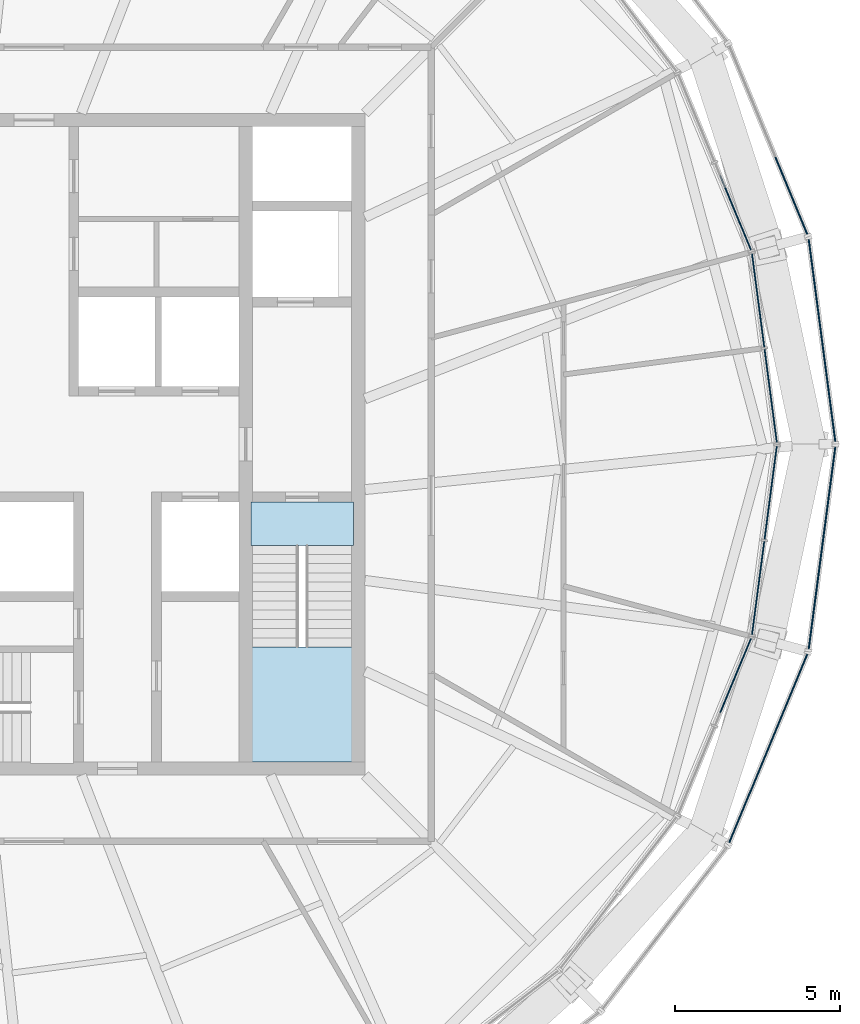
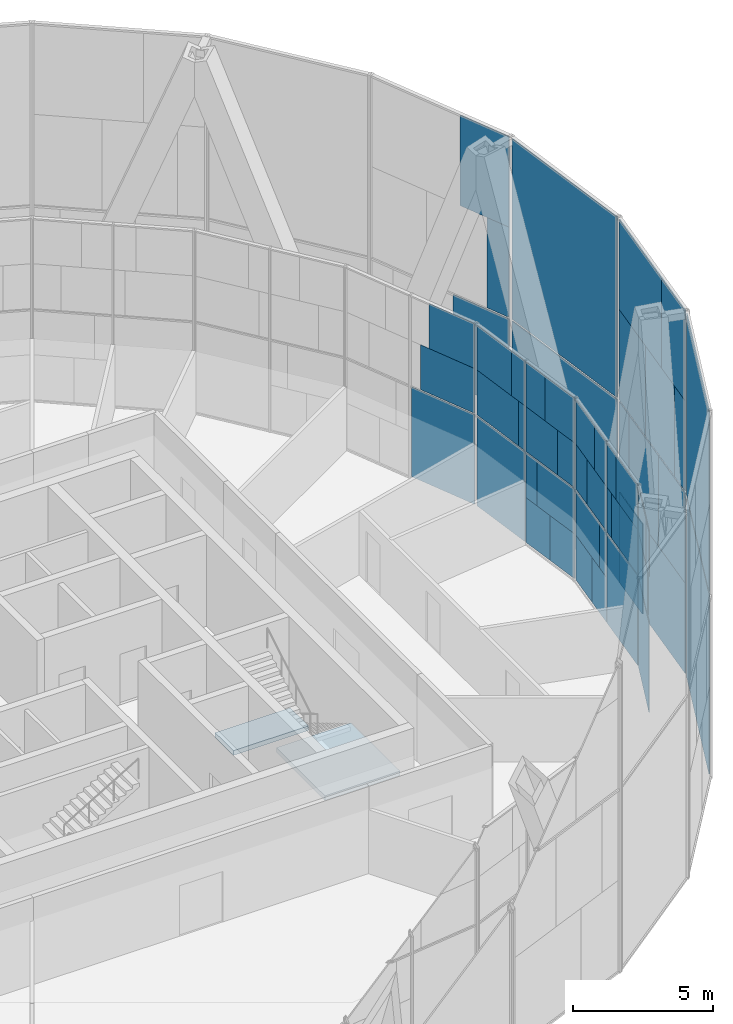
# One storey, part 14 of 22: 50 plates, 2 slabs, 9 elements without a shape of their own.
"""IFC4 building model written with IfcOpenShell, lengths in metres."""

from ifc_helpers import new_model, si_unit, direction, frame, origin, origin_2d, place, context, subcontext, project, spatial, polyline, rectangle, outline, extrude, material, layer, layer_set, type_object, element, aggregate, save


model = new_model("IFC4")

# Units and contexts
model_context = context("Model", 3, precision=1e-05, world=origin(), true_north=direction((0.0, 1.0)))
body_context = subcontext(model_context, "Body", "Model", "MODEL_VIEW")
ifc_project = project(units=[si_unit("LENGTHUNIT", "METRE"), si_unit("AREAUNIT", "SQUARE_METRE"), si_unit("VOLUMEUNIT", "CUBIC_METRE"), si_unit("PLANEANGLEUNIT", "RADIAN"), si_unit("MASSUNIT", "GRAM", prefix="KILO")], contexts=[model_context])

# Site, building, storey
site_placement = place(None, origin())
site = spatial("IfcSite", under=ifc_project, at=site_placement, CompositionType="ELEMENT")
building_placement = place(site_placement, origin())
building = spatial("IfcBuilding", under=site, at=building_placement, Name="Golbaran Civic Tower", CompositionType="ELEMENT")
storey_placement = place(building_placement, frame((0.0, 0.0, 248.0)))
storey = spatial("IfcBuildingStorey", under=building, at=storey_placement, Name="L60", CompositionType="ELEMENT", Elevation=248.0)

# Curtain wall, plates
ifc_material_1 = material(Name="Aluminium and glass", Category="aluminium")
curtain_wall_type_1 = type_object("IfcCurtainWallType", Name="INNER SKIN CURTAIN WALL EXECUTIVE", PredefinedType="NOTDEFINED", material=ifc_material_1)
curtain_wall_1_placement = place(storey_placement, origin())
curtain_wall_1 = element("IfcCurtainWall", 1, at=curtain_wall_1_placement, inside=storey, type_object=curtain_wall_type_1, Name="Inner skin L60 facet 1 CW2", ObjectType="INNER SKIN", PredefinedType="USERDEFINED")
ifc_material_2 = material(Name="Clear insulating glass", Category="glass")
ifc_layer_1 = layer(ifc_material_2, 0.031982421875, Name="Clear insulating glass")
ifc_layer_set_1 = layer_set([ifc_layer_1], Name="Clear insulating glass")
plate_type_1 = type_object("IfcPlateType", Name="INNER SKIN CURTAIN WALL EXECUTIVE GLAZED PANEL", PredefinedType="CURTAIN_PANEL", material=ifc_layer_set_1)
plate_1_placement = place(storey_placement, frame((22.16357421875, 2.18994140625, 0.06005859375), z_axis=(0.0, 0.0, 1.0), x_axis=(-0.130526192185, 0.991444861378, 0.0)))
plate_1 = element("IfcPlate", 2, at=plate_1_placement, type_object=plate_type_1, Name="CW2 panel 1.1 part 2", PredefinedType="CURTAIN_PANEL", context=body_context, shape_type="SweptSolid", body=[
    extrude(rectangle(XDim=1.383544921875, YDim=0.031982421875, at=origin_2d()), origin(), (0.0, 0.0, 1.0), 1.955078125),
])
plate_2_placement = place(storey_placement, frame((22.115478515625, 2.55615234375, 2.014892578125), z_axis=(0.0, 0.0, 1.0), x_axis=(-0.130526192185, 0.991444861378, 0.0)))
plate_2 = element("IfcPlate", 3, at=plate_2_placement, type_object=plate_type_1, Name="CW2 panel 1.1 part 4", PredefinedType="CURTAIN_PANEL", context=body_context, shape_type="SweptSolid", body=[
    extrude(rectangle(XDim=0.64453125, YDim=0.031982421875, at=origin_2d()), origin(), (0.0, 0.0, 1.0), 1.955078125),
])
plate_3_placement = place(storey_placement, frame((22.37939453125, 0.5517578125, 4.030029296875), z_axis=(0.0, 0.0, 1.0), x_axis=(-0.130526192185, 0.991444861378, 0.0)))
plate_3 = element("IfcPlate", 4, at=plate_3_placement, type_object=plate_type_1, Name="CW2 panel 1.2 part 1", PredefinedType="CURTAIN_PANEL", context=body_context, shape_type="SweptSolid", body=[
    extrude(rectangle(XDim=0.992919921875, YDim=0.031982421875, at=origin_2d()), origin(), (0.0, 0.0, 1.0), 1.955078125),
])
plate_4_placement = place(storey_placement, frame((22.3310546875, 0.91796875, 5.98486328125), z_axis=(0.0, 0.0, 1.0), x_axis=(-0.130526192185, 0.991444861378, 0.0)))
plate_4 = element("IfcPlate", 5, at=plate_4_placement, type_object=plate_type_1, Name="CW2 panel 1.2 part 3", PredefinedType="CURTAIN_PANEL", context=body_context, shape_type="SweptSolid", body=[
    extrude(rectangle(XDim=1.73193359375, YDim=0.031982421875, at=origin_2d()), origin(), (0.0, 0.0, 1.0), 1.955078125),
])
plate_5_placement = place(storey_placement, frame((21.880126953125, 4.34326171875, 0.06005859375), z_axis=(0.0, 0.0, 1.0), x_axis=(-0.130526192185, 0.991444861378, 0.0)))
plate_5 = element("IfcPlate", 6, at=plate_5_placement, type_object=plate_type_1, Name="CW2 panel 2.1", PredefinedType="CURTAIN_PANEL", context=body_context, shape_type="SweptSolid", body=[
    extrude(rectangle(XDim=2.840576171875, YDim=0.031982421875, at=origin_2d()), origin(), (0.0, 0.0, 1.0), 3.909912109375),
])
plate_6_placement = place(storey_placement, frame((21.85400390625, 4.541748046875, 4.030029296875), z_axis=(0.0, 0.0, 1.0), x_axis=(-0.130526192185, 0.991444861378, 0.0)))
plate_6 = element("IfcPlate", 7, at=plate_6_placement, type_object=plate_type_1, Name="CW2 panel 2.2 part 2", PredefinedType="CURTAIN_PANEL", context=body_context, shape_type="SweptSolid", body=[
    extrude(rectangle(XDim=2.440673828125, YDim=0.031982421875, at=origin_2d()), origin(), (0.0, 0.0, 1.0), 1.955078125),
])
plate_7_placement = place(storey_placement, frame((21.828125, 4.738525390625, 5.98486328125), z_axis=(0.0, 0.0, 1.0), x_axis=(-0.130526192185, 0.991444861378, 0.0)))
plate_7 = element("IfcPlate", 8, at=plate_7_placement, type_object=plate_type_1, Name="CW2 panel 2.2 part 4", PredefinedType="CURTAIN_PANEL", context=body_context, shape_type="SweptSolid", body=[
    extrude(rectangle(XDim=2.04345703125, YDim=0.031982421875, at=origin_2d()), origin(), (0.0, 0.0, 1.0), 1.955078125),
])

curtain_wall_2_placement = place(storey_placement, origin())
curtain_wall_2 = element("IfcCurtainWall", 9, at=curtain_wall_2_placement, inside=storey, type_object=curtain_wall_type_1, Name="Inner skin L60 facet 2 CW2", ObjectType="INNER SKIN", PredefinedType="USERDEFINED")
plate_8_placement = place(storey_placement, frame((21.12060546875, 7.1787109375, 0.06005859375), z_axis=(0.0, 0.0, 1.0), x_axis=(-0.382683432381, 0.923879532505, 0.0)))
plate_8 = element("IfcPlate", 10, at=plate_8_placement, type_object=plate_type_1, Name="CW2 panel 1.1", PredefinedType="CURTAIN_PANEL", context=body_context, shape_type="SweptSolid", body=[
    extrude(rectangle(XDim=2.840576171875, YDim=0.031982421875, at=origin_2d()), origin(), (0.0, 0.0, 1.0), 3.909912109375),
])
plate_9_placement = place(storey_placement, frame((21.197265625, 6.9931640625, 4.030029296875), z_axis=(0.0, 0.0, 1.0), x_axis=(-0.382683432381, 0.923879532505, 0.0)))
plate_9 = element("IfcPlate", 11, at=plate_9_placement, type_object=plate_type_1, Name="CW2 panel 1.2 part 1", PredefinedType="CURTAIN_PANEL", context=body_context, shape_type="SweptSolid", body=[
    extrude(rectangle(XDim=2.43896484375, YDim=0.031982421875, at=origin_2d()), origin(), (0.0, 0.0, 1.0), 1.955078125),
])
plate_10_placement = place(storey_placement, frame((21.273193359375, 6.810302734375, 5.98486328125), z_axis=(0.0, 0.0, 1.0), x_axis=(-0.382683432381, 0.923879532505, 0.0)))
plate_10 = element("IfcPlate", 12, at=plate_10_placement, type_object=plate_type_1, Name="CW2 panel 1.2 part 3", PredefinedType="CURTAIN_PANEL", context=body_context, shape_type="SweptSolid", body=[
    extrude(rectangle(XDim=2.04296875, YDim=0.031982421875, at=origin_2d()), origin(), (0.0, 0.0, 1.0), 1.955078125),
])
aggregate(curtain_wall_2, [plate_8, plate_9, plate_10])

curtain_wall_3_placement = place(storey_placement, origin())
curtain_wall_3 = element("IfcCurtainWall", 13, at=curtain_wall_3_placement, inside=storey, type_object=curtain_wall_type_1, Name="Inner skin L60 facet 23 CW2", ObjectType="INNER SKIN", PredefinedType="USERDEFINED")
plate_11_placement = place(storey_placement, frame((21.12060546875, -7.1787109375, 0.06005859375), z_axis=(0.0, 0.0, 1.0), x_axis=(0.382683432381, 0.923879532505, 0.0)))
plate_11 = element("IfcPlate", 14, at=plate_11_placement, type_object=plate_type_1, Name="CW2 panel 2.1", PredefinedType="CURTAIN_PANEL", context=body_context, shape_type="SweptSolid", body=[
    extrude(rectangle(XDim=2.840576171875, YDim=0.031982421875, at=origin_2d()), origin(), (0.0, 0.0, 1.0), 3.909912109375),
])
plate_12_placement = place(storey_placement, frame((21.197021484375, -6.993896484375, 4.030029296875), z_axis=(0.0, 0.0, 1.0), x_axis=(0.382683432381, 0.923879532505, 0.0)))
plate_12 = element("IfcPlate", 15, at=plate_12_placement, type_object=plate_type_1, Name="CW2 panel 2.2 part 2", PredefinedType="CURTAIN_PANEL", context=body_context, shape_type="SweptSolid", body=[
    extrude(rectangle(XDim=2.440673828125, YDim=0.031982421875, at=origin_2d()), origin(), (0.0, 0.0, 1.0), 1.955078125),
])
plate_13_placement = place(storey_placement, frame((21.27294921875, -6.810546875, 5.98486328125), z_axis=(0.0, 0.0, 1.0), x_axis=(0.382683432381, 0.923879532505, 0.0)))
plate_13 = element("IfcPlate", 16, at=plate_13_placement, type_object=plate_type_1, Name="CW2 panel 2.2 part 4", PredefinedType="CURTAIN_PANEL", context=body_context, shape_type="SweptSolid", body=[
    extrude(rectangle(XDim=2.04345703125, YDim=0.031982421875, at=origin_2d()), origin(), (0.0, 0.0, 1.0), 1.955078125),
])

curtain_wall_4_placement = place(storey_placement, origin())
curtain_wall_4 = element("IfcCurtainWall", 17, at=curtain_wall_4_placement, inside=storey, type_object=curtain_wall_type_1, Name="Inner skin L60 facet 24 CW2", ObjectType="INNER SKIN", PredefinedType="USERDEFINED")
plate_14_placement = place(storey_placement, frame((21.880126953125, -4.34326171875, 0.06005859375), z_axis=(0.0, 0.0, 1.0), x_axis=(0.130526192185, 0.991444861378, 0.0)))
plate_14 = element("IfcPlate", 18, at=plate_14_placement, type_object=plate_type_1, Name="CW2 panel 1.1", PredefinedType="CURTAIN_PANEL", context=body_context, shape_type="SweptSolid", body=[
    extrude(rectangle(XDim=2.840576171875, YDim=0.031982421875, at=origin_2d()), origin(), (0.0, 0.0, 1.0), 3.909912109375),
])
plate_15_placement = place(storey_placement, frame((21.85400390625, -4.54248046875, 4.030029296875), z_axis=(0.0, 0.0, 1.0), x_axis=(0.130526192185, 0.991444861378, 0.0)))
plate_15 = element("IfcPlate", 19, at=plate_15_placement, type_object=plate_type_1, Name="CW2 panel 1.2 part 1", PredefinedType="CURTAIN_PANEL", context=body_context, shape_type="SweptSolid", body=[
    extrude(rectangle(XDim=2.43896484375, YDim=0.031982421875, at=origin_2d()), origin(), (0.0, 0.0, 1.0), 1.955078125),
])
plate_16_placement = place(storey_placement, frame((21.828125, -4.73876953125, 5.98486328125), z_axis=(0.0, 0.0, 1.0), x_axis=(0.130526192185, 0.991444861378, 0.0)))
plate_16 = element("IfcPlate", 20, at=plate_16_placement, type_object=plate_type_1, Name="CW2 panel 1.2 part 3", PredefinedType="CURTAIN_PANEL", context=body_context, shape_type="SweptSolid", body=[
    extrude(rectangle(XDim=2.04296875, YDim=0.031982421875, at=origin_2d()), origin(), (0.0, 0.0, 1.0), 1.955078125),
])
plate_17_placement = place(storey_placement, frame((22.16357421875, -2.190185546875, 0.06005859375), z_axis=(0.0, 0.0, 1.0), x_axis=(0.130526192185, 0.991444861378, 0.0)))
plate_17 = element("IfcPlate", 21, at=plate_17_placement, type_object=plate_type_1, Name="CW2 panel 2.1 part 1", PredefinedType="CURTAIN_PANEL", context=body_context, shape_type="SweptSolid", body=[
    extrude(rectangle(XDim=1.383056640625, YDim=0.031982421875, at=origin_2d()), origin(), (0.0, 0.0, 1.0), 1.955078125),
])
plate_18_placement = place(storey_placement, frame((22.115478515625, -2.556396484375, 2.014892578125), z_axis=(0.0, 0.0, 1.0), x_axis=(0.130526192185, 0.991444861378, 0.0)))
plate_18 = element("IfcPlate", 22, at=plate_18_placement, type_object=plate_type_1, Name="CW2 panel 2.1 part 3", PredefinedType="CURTAIN_PANEL", context=body_context, shape_type="SweptSolid", body=[
    extrude(rectangle(XDim=0.64404296875, YDim=0.031982421875, at=origin_2d()), origin(), (0.0, 0.0, 1.0), 1.955078125),
])
plate_19_placement = place(storey_placement, frame((22.37939453125, -0.551513671875, 4.030029296875), z_axis=(0.0, 0.0, 1.0), x_axis=(0.130526192185, 0.991444861378, 0.0)))
plate_19 = element("IfcPlate", 23, at=plate_19_placement, type_object=plate_type_1, Name="CW2 panel 2.2 part 2", PredefinedType="CURTAIN_PANEL", context=body_context, shape_type="SweptSolid", body=[
    extrude(rectangle(XDim=0.99267578125, YDim=0.031982421875, at=origin_2d()), origin(), (0.0, 0.0, 1.0), 1.955078125),
])
plate_20_placement = place(storey_placement, frame((22.3310546875, -0.91845703125, 5.98486328125), z_axis=(0.0, 0.0, 1.0), x_axis=(0.130526192185, 0.991444861378, 0.0)))
plate_20 = element("IfcPlate", 24, at=plate_20_placement, type_object=plate_type_1, Name="CW2 panel 2.2 part 4", PredefinedType="CURTAIN_PANEL", context=body_context, shape_type="SweptSolid", body=[
    extrude(rectangle(XDim=1.732666015625, YDim=0.031982421875, at=origin_2d()), origin(), (0.0, 0.0, 1.0), 1.955078125),
])

# Plate
ifc_material_3 = material(Name="Aluminium faced opaque infill panel", Category="aluminium")
ifc_layer_2 = layer(ifc_material_3, 0.031982421875, Name="Aluminium faced opaque infill panel")
ifc_layer_set_2 = layer_set([ifc_layer_2], Name="Aluminium faced opaque infill panel")
plate_type_2 = type_object("IfcPlateType", Name="INNER SKIN CURTAIN WALL EXECUTIVE OPAQUE INFILL PANEL", PredefinedType="CURTAIN_PANEL", material=ifc_layer_set_2)
plate_21_placement = place(storey_placement, frame((22.34912109375, 0.78173828125, 0.06005859375), z_axis=(0.0, 0.0, 1.0), x_axis=(-0.130526192185, 0.991444861378, 0.0)))
plate_21 = element("IfcPlate", 25, at=plate_21_placement, type_object=plate_type_2, Name="CW2 infill panel 1.1 part 1", PredefinedType="CURTAIN_PANEL", context=body_context, shape_type="SweptSolid", body=[
    extrude(rectangle(XDim=1.45703125, YDim=0.031982421875, at=origin_2d()), origin(), (0.0, 0.0, 1.0), 1.955078125),
])

plate_22_placement = place(storey_placement, frame((22.30078125, 1.148193359375, 2.014892578125), z_axis=(0.0, 0.0, 1.0), x_axis=(-0.130526192185, 0.991444861378, 0.0)))
plate_22 = element("IfcPlate", 26, at=plate_22_placement, type_object=plate_type_2, Name="CW2 infill panel 1.1 part 3", PredefinedType="CURTAIN_PANEL", context=body_context, shape_type="SweptSolid", body=[
    extrude(rectangle(XDim=2.196044921875, YDim=0.031982421875, at=origin_2d()), origin(), (0.0, 0.0, 1.0), 1.955078125),
])

plate_23_placement = place(storey_placement, frame((22.194091796875, 1.9599609375, 4.030029296875), z_axis=(0.0, 0.0, 1.0), x_axis=(-0.130526192185, 0.991444861378, 0.0)))
plate_23 = element("IfcPlate", 27, at=plate_23_placement, type_object=plate_type_2, Name="CW2 infill panel 1.2 part 2", PredefinedType="CURTAIN_PANEL", context=body_context, shape_type="SweptSolid", body=[
    extrude(rectangle(XDim=1.84765625, YDim=0.031982421875, at=origin_2d()), origin(), (0.0, 0.0, 1.0), 1.955078125),
])

plate_24_placement = place(storey_placement, frame((22.145751953125, 2.326171875, 5.98486328125), z_axis=(0.0, 0.0, 1.0), x_axis=(-0.130526192185, 0.991444861378, 0.0)))
plate_24 = element("IfcPlate", 28, at=plate_24_placement, type_object=plate_type_2, Name="CW2 infill panel 1.2 part 4", PredefinedType="CURTAIN_PANEL", context=body_context, shape_type="SweptSolid", body=[
    extrude(rectangle(XDim=1.108642578125, YDim=0.031982421875, at=origin_2d()), origin(), (0.0, 0.0, 1.0), 1.955078125),
])

plate_25_placement = place(storey_placement, frame((22.03955078125, 3.133544921875, 4.030029296875), z_axis=(0.0, 0.0, 1.0), x_axis=(-0.130526192185, 0.991444861378, 0.0)))
plate_25 = element("IfcPlate", 29, at=plate_25_placement, type_object=plate_type_2, Name="CW2 infill panel 2.2 part 1", PredefinedType="CURTAIN_PANEL", context=body_context, shape_type="SweptSolid", body=[
    extrude(rectangle(XDim=0.39990234375, YDim=0.031982421875, at=origin_2d()), origin(), (0.0, 0.0, 1.0), 1.955078125),
])

plate_26_placement = place(storey_placement, frame((22.013671875, 3.330322265625, 5.98486328125), z_axis=(0.0, 0.0, 1.0), x_axis=(-0.130526192185, 0.991444861378, 0.0)))
plate_26 = element("IfcPlate", 30, at=plate_26_placement, type_object=plate_type_2, Name="CW2 infill panel 2.2 part 3", PredefinedType="CURTAIN_PANEL", context=body_context, shape_type="SweptSolid", body=[
    extrude(rectangle(XDim=0.797119140625, YDim=0.031982421875, at=origin_2d()), origin(), (0.0, 0.0, 1.0), 1.955078125),
])

aggregate(curtain_wall_1, [plate_21, plate_1, plate_22, plate_2, plate_3, plate_23, plate_4, plate_24, plate_5, plate_25, plate_6, plate_26, plate_7])

plate_27_placement = place(storey_placement, frame((20.7294921875, -8.12255859375, 5.98486328125), z_axis=(0.0, 0.0, 1.0), x_axis=(0.382683432381, 0.923879532505, 0.0)))
plate_27 = element("IfcPlate", 31, at=plate_27_placement, type_object=plate_type_2, Name="CW2 infill panel 2.2 part 3", PredefinedType="CURTAIN_PANEL", context=body_context, shape_type="SweptSolid", body=[
    extrude(rectangle(XDim=0.797119140625, YDim=0.031982421875, at=origin_2d()), origin(), (0.0, 0.0, 1.0), 1.955078125),
])

aggregate(curtain_wall_3, [plate_11, plate_12, plate_27, plate_13])

plate_28_placement = place(storey_placement, frame((22.039306640625, -3.13427734375, 4.030029296875), z_axis=(0.0, 0.0, 1.0), x_axis=(0.130526192185, 0.991444861378, 0.0)))
plate_28 = element("IfcPlate", 32, at=plate_28_placement, type_object=plate_type_2, Name="CW2 infill panel 1.2 part 2", PredefinedType="CURTAIN_PANEL", context=body_context, shape_type="SweptSolid", body=[
    extrude(rectangle(XDim=0.401611328125, YDim=0.031982421875, at=origin_2d()), origin(), (0.0, 0.0, 1.0), 1.955078125),
])

plate_29_placement = place(storey_placement, frame((22.013427734375, -3.33056640625, 5.98486328125), z_axis=(0.0, 0.0, 1.0), x_axis=(0.130526192185, 0.991444861378, 0.0)))
plate_29 = element("IfcPlate", 33, at=plate_29_placement, type_object=plate_type_2, Name="CW2 infill panel 1.2 part 4", PredefinedType="CURTAIN_PANEL", context=body_context, shape_type="SweptSolid", body=[
    extrude(rectangle(XDim=0.797607421875, YDim=0.031982421875, at=origin_2d()), origin(), (0.0, 0.0, 1.0), 1.955078125),
])

plate_30_placement = place(storey_placement, frame((22.34912109375, -0.781982421875, 0.06005859375), z_axis=(0.0, 0.0, 1.0), x_axis=(0.130526192185, 0.991444861378, 0.0)))
plate_30 = element("IfcPlate", 34, at=plate_30_placement, type_object=plate_type_2, Name="CW2 infill panel 2.1 part 2", PredefinedType="CURTAIN_PANEL", context=body_context, shape_type="SweptSolid", body=[
    extrude(rectangle(XDim=1.45751953125, YDim=0.031982421875, at=origin_2d()), origin(), (0.0, 0.0, 1.0), 1.955078125),
])

plate_31_placement = place(storey_placement, frame((22.30078125, -1.1484375, 2.014892578125), z_axis=(0.0, 0.0, 1.0), x_axis=(0.130526192185, 0.991444861378, 0.0)))
plate_31 = element("IfcPlate", 35, at=plate_31_placement, type_object=plate_type_2, Name="CW2 infill panel 2.1 part 4", PredefinedType="CURTAIN_PANEL", context=body_context, shape_type="SweptSolid", body=[
    extrude(rectangle(XDim=2.196533203125, YDim=0.031982421875, at=origin_2d()), origin(), (0.0, 0.0, 1.0), 1.955078125),
])

plate_32_placement = place(storey_placement, frame((22.194091796875, -1.959716796875, 4.030029296875), z_axis=(0.0, 0.0, 1.0), x_axis=(0.130526192185, 0.991444861378, 0.0)))
plate_32 = element("IfcPlate", 36, at=plate_32_placement, type_object=plate_type_2, Name="CW2 infill panel 2.2 part 1", PredefinedType="CURTAIN_PANEL", context=body_context, shape_type="SweptSolid", body=[
    extrude(rectangle(XDim=1.847900390625, YDim=0.031982421875, at=origin_2d()), origin(), (0.0, 0.0, 1.0), 1.955078125),
])

plate_33_placement = place(storey_placement, frame((22.145751953125, -2.326416015625, 5.98486328125), z_axis=(0.0, 0.0, 1.0), x_axis=(0.130526192185, 0.991444861378, 0.0)))
plate_33 = element("IfcPlate", 37, at=plate_33_placement, type_object=plate_type_2, Name="CW2 infill panel 2.2 part 3", PredefinedType="CURTAIN_PANEL", context=body_context, shape_type="SweptSolid", body=[
    extrude(rectangle(XDim=1.10791015625, YDim=0.031982421875, at=origin_2d()), origin(), (0.0, 0.0, 1.0), 1.955078125),
])

aggregate(curtain_wall_4, [plate_14, plate_15, plate_28, plate_16, plate_29, plate_17, plate_30, plate_18, plate_31, plate_32, plate_19, plate_33, plate_20])

# Curtain wall, plates
curtain_wall_type_2 = type_object("IfcCurtainWallType", Name="OUTER SKIN TERRACOTTA SCREEN", PredefinedType="NOTDEFINED", material=ifc_material_1)
curtain_wall_5_placement = place(storey_placement, origin())
curtain_wall_5 = element("IfcCurtainWall", 38, at=curtain_wall_5_placement, inside=storey, type_object=curtain_wall_type_2, Name="Outer skin L60 facet 2 CW3", ObjectType="OUTER SKIN", PredefinedType="USERDEFINED")
ifc_material_4 = material(Name="Clear laminated glass", Category="glass")
ifc_layer_3 = layer(ifc_material_4, 0.0400390625, Name="Clear laminated glass")
ifc_layer_set_3 = layer_set([ifc_layer_3], Name="Clear laminated glass")
plate_type_3 = type_object("IfcPlateType", Name="OUTER SKIN CLEAR GLASS PANEL", PredefinedType="CURTAIN_PANEL", material=ifc_layer_set_3)
plate_34_placement = place(storey_placement, frame((22.8857421875, 7.505126953125, 3.31005859375), z_axis=(0.0, 0.0, 1.0), x_axis=(-0.382683432349, 0.923879532518, 0.0)))
plate_34 = element("IfcPlate", 39, at=plate_34_placement, type_object=plate_type_3, Name="CW3 panel 1.1 part 3", PredefinedType="CURTAIN_PANEL", context=body_context, shape_type="SweptSolid", body=[
    extrude(rectangle(XDim=2.514892578125, YDim=0.0400390625, at=origin_2d()), origin(), (0.0, 0.0, 1.0), 3.93994140625),
])
plate_35_placement = place(storey_placement, frame((23.176513671875, 6.802978515625, 7.330078125), z_axis=(0.0, 0.0, 1.0), x_axis=(-0.382683432349, 0.923879532518, 0.0)))
plate_35 = element("IfcPlate", 40, at=plate_35_placement, type_object=plate_type_3, Name="CW3 panel 1.2 part 1", PredefinedType="CURTAIN_PANEL", context=body_context, shape_type="SweptSolid", body=[
    extrude(rectangle(XDim=0.9951171875, YDim=0.0400390625, at=origin_2d()), origin(), (0.0, 0.0, 1.0), 3.93994140625),
])

curtain_wall_6_placement = place(storey_placement, origin())
curtain_wall_6 = element("IfcCurtainWall", 41, at=curtain_wall_6_placement, inside=storey, type_object=curtain_wall_type_2, Name="Outer skin L60 facet 24 CW3", ObjectType="OUTER SKIN", PredefinedType="USERDEFINED")
plate_36_placement = place(storey_placement, frame((23.66943359375, -4.20458984375, -0.6298828125), z_axis=(0.0, 0.0, 1.0), x_axis=(0.130526192237, 0.991444861372, 0.0)))
plate_36 = element("IfcPlate", 42, at=plate_36_placement, type_object=plate_type_3, Name="CW3 panel 1.1 part 1", PredefinedType="CURTAIN_PANEL", context=body_context, shape_type="SweptSolid", body=[
    extrude(rectangle(XDim=4.0048828125, YDim=0.0400390625, at=origin_2d()), origin(), (0.0, 0.0, 1.0), 3.93994140625),
])
plate_37_placement = place(storey_placement, frame((23.572265625, -4.943359375, 3.31005859375), z_axis=(0.0, 0.0, 1.0), x_axis=(0.130526192237, 0.991444861372, 0.0)))
plate_37 = element("IfcPlate", 43, at=plate_37_placement, type_object=plate_type_3, Name="CW3 panel 1.1 part 3", PredefinedType="CURTAIN_PANEL", context=body_context, shape_type="SweptSolid", body=[
    extrude(rectangle(XDim=2.514892578125, YDim=0.0400390625, at=origin_2d()), origin(), (0.0, 0.0, 1.0), 3.93994140625),
])
plate_38_placement = place(storey_placement, frame((24.15185546875, -0.541015625, 3.31005859375), z_axis=(0.0, 0.0, 1.0), x_axis=(0.130526192237, 0.991444861372, 0.0)))
plate_38 = element("IfcPlate", 44, at=plate_38_placement, type_object=plate_type_3, Name="CW3 panel 1.1 part 5", PredefinedType="CURTAIN_PANEL", context=body_context, shape_type="SweptSolid", body=[
    extrude(rectangle(XDim=0.931396484375, YDim=0.0400390625, at=origin_2d()), origin(), (0.0, 0.0, 1.0), 3.93994140625),
])
plate_39_placement = place(storey_placement, frame((23.472900390625, -5.69677734375, 7.330078125), z_axis=(0.0, 0.0, 1.0), x_axis=(0.130526192237, 0.991444861372, 0.0)))
plate_39 = element("IfcPlate", 45, at=plate_39_placement, type_object=plate_type_3, Name="CW3 panel 1.2 part 1", PredefinedType="CURTAIN_PANEL", context=body_context, shape_type="SweptSolid", body=[
    extrude(rectangle(XDim=0.9951171875, YDim=0.0400390625, at=origin_2d()), origin(), (0.0, 0.0, 1.0), 3.93994140625),
])
plate_40_placement = place(storey_placement, frame((24.052490234375, -1.295166015625, 7.330078125), z_axis=(0.0, 0.0, 1.0), x_axis=(0.130526192237, 0.991444861372, 0.0)))
plate_40 = element("IfcPlate", 46, at=plate_40_placement, type_object=plate_type_3, Name="CW3 panel 1.2 part 3", PredefinedType="CURTAIN_PANEL", context=body_context, shape_type="SweptSolid", body=[
    extrude(rectangle(XDim=2.452392578125, YDim=0.0400390625, at=origin_2d()), origin(), (0.0, 0.0, 1.0), 3.93994140625),
])
plate_41_placement = place(storey_placement, frame((23.954833984375, -2.03759765625, 11.27001953125), z_axis=(0.0, 0.0, 1.0), x_axis=(0.130526192237, 0.991444861372, 0.0)))
plate_41 = element("IfcPlate", 47, at=plate_41_placement, type_object=plate_type_3, Name="CW3 panel 1.2 part 5", PredefinedType="CURTAIN_PANEL", context=body_context, shape_type="SweptSolid", body=[
    extrude(rectangle(XDim=3.950439453125, YDim=0.0400390625, at=origin_2d()), origin(), (0.0, 0.0, 1.0), 3.93994140625),
])

# Plate
ifc_material_5 = material(Name="Terracotta baguette screen", Category="masonry")
ifc_layer_4 = layer(ifc_material_5, 0.0400390625, Name="Terracotta baguette screen")
ifc_layer_set_4 = layer_set([ifc_layer_4], Name="Terracotta baguette screen")
plate_type_4 = type_object("IfcPlateType", Name="OUTER SKIN TERRACOTTA INFILL PANEL", PredefinedType="CURTAIN_PANEL", material=ifc_layer_set_4)
plate_42_placement = place(storey_placement, frame((22.943603515625, 7.365478515625, 11.27001953125), z_axis=(0.0, 0.0, 1.0), x_axis=(-0.382683432349, 0.923879532518, 0.0)))
plate_42 = element("IfcPlate", 48, at=plate_42_placement, type_object=plate_type_4, Name="CW3 infill panel 1.2 part 4", PredefinedType="CURTAIN_PANEL", context=body_context, shape_type="SweptSolid", body=[
    extrude(rectangle(XDim=2.212890625, YDim=0.0400390625, at=origin_2d()), origin(), (0.0, 0.0, 1.0), 3.93994140625),
])

aggregate(curtain_wall_5, [plate_34, plate_35, plate_42])

plate_43_placement = place(storey_placement, frame((24.07177734375, -1.1494140625, -0.6298828125), z_axis=(0.0, 0.0, 1.0), x_axis=(0.130526192237, 0.991444861372, 0.0)))
plate_43 = element("IfcPlate", 49, at=plate_43_placement, type_object=plate_type_4, Name="CW3 infill panel 1.1 part 2", PredefinedType="CURTAIN_PANEL", context=body_context, shape_type="SweptSolid", body=[
    extrude(rectangle(XDim=2.158447265625, YDim=0.0400390625, at=origin_2d()), origin(), (0.0, 0.0, 1.0), 3.93994140625),
])

plate_44_placement = place(storey_placement, frame((23.91357421875, -2.349609375, 3.31005859375), z_axis=(0.0, 0.0, 1.0), x_axis=(0.130526192237, 0.991444861372, 0.0)))
plate_44 = element("IfcPlate", 50, at=plate_44_placement, type_object=plate_type_4, Name="CW3 infill panel 1.1 part 4", PredefinedType="CURTAIN_PANEL", context=body_context, shape_type="SweptSolid", body=[
    extrude(rectangle(XDim=2.717041015625, YDim=0.0400390625, at=origin_2d()), origin(), (0.0, 0.0, 1.0), 3.93994140625),
])

plate_45_placement = place(storey_placement, frame((23.715087890625, -3.857177734375, 7.330078125), z_axis=(0.0, 0.0, 1.0), x_axis=(0.130526192237, 0.991444861372, 0.0)))
plate_45 = element("IfcPlate", 51, at=plate_45_placement, type_object=plate_type_4, Name="CW3 infill panel 1.2 part 2", PredefinedType="CURTAIN_PANEL", context=body_context, shape_type="SweptSolid", body=[
    extrude(rectangle(XDim=2.716064453125, YDim=0.0400390625, at=origin_2d()), origin(), (0.0, 0.0, 1.0), 3.93994140625),
])

plate_46_placement = place(storey_placement, frame((23.552490234375, -5.093017578125, 11.27001953125), z_axis=(0.0, 0.0, 1.0), x_axis=(0.130526192237, 0.991444861372, 0.0)))
plate_46 = element("IfcPlate", 52, at=plate_46_placement, type_object=plate_type_4, Name="CW3 infill panel 1.2 part 4", PredefinedType="CURTAIN_PANEL", context=body_context, shape_type="SweptSolid", body=[
    extrude(rectangle(XDim=2.212890625, YDim=0.0400390625, at=origin_2d()), origin(), (0.0, 0.0, 1.0), 3.93994140625),
])

aggregate(curtain_wall_6, [plate_36, plate_43, plate_37, plate_44, plate_38, plate_39, plate_45, plate_40, plate_46, plate_41])

# Curtain wall, plates
curtain_wall_7_placement = place(storey_placement, origin())
curtain_wall_7 = element("IfcCurtainWall", 53, at=curtain_wall_7_placement, inside=storey, type_object=curtain_wall_type_2, Name="Outer skin L60 facet 1 CW3", ObjectType="OUTER SKIN", PredefinedType="USERDEFINED")
ifc_layer_5 = layer(ifc_material_5, 0.0400390625, Name="Terracotta baguette screen")
ifc_layer_set_5 = layer_set([ifc_layer_5], Name="Terracotta baguette screen")
plate_type_5 = type_object("IfcPlateType", Name="OUTER SKIN TERRACOTTA SCREEN PANEL", PredefinedType="CURTAIN_PANEL", material=ifc_layer_set_5)
plate_47_placement = place(storey_placement, frame((23.810302734375, 3.134765625, -0.6298828125), z_axis=(0.0, 0.0, 1.0), x_axis=(-0.130526192237, 0.991444861372, 0.0)))
plate_47 = element("IfcPlate", 54, at=plate_47_placement, type_object=plate_type_5, Name="CW3 terracotta screen panel 1.1", PredefinedType="CURTAIN_PANEL", context=body_context, shape_type="SweptSolid", body=[
    extrude(rectangle(XDim=6.16357421875, YDim=0.0400390625, at=origin_2d()), origin(), (0.0, 0.0, 1.0), 7.8798828125),
])
plate_48_placement = place(storey_placement, frame((23.810302734375, 3.134765625, 7.330078125), z_axis=(0.0, 0.0, 1.0), x_axis=(-0.130526192237, 0.991444861372, 0.0)))
plate_48 = element("IfcPlate", 55, at=plate_48_placement, type_object=plate_type_5, Name="CW3 terracotta screen panel 1.2", PredefinedType="CURTAIN_PANEL", context=body_context, shape_type="SweptSolid", body=[
    extrude(rectangle(XDim=6.16357421875, YDim=0.0400390625, at=origin_2d()), origin(), (0.0, 0.0, 1.0), 7.8798828125),
])
aggregate(curtain_wall_7, [plate_47, plate_48])

curtain_wall_8_placement = place(storey_placement, origin())
curtain_wall_8 = element("IfcCurtainWall", 56, at=curtain_wall_8_placement, inside=storey, type_object=curtain_wall_type_2, Name="Outer skin L60 facet 23 CW3", ObjectType="OUTER SKIN", PredefinedType="USERDEFINED")
plate_49_placement = place(storey_placement, frame((22.187744140625, -9.1904296875, -0.6298828125), z_axis=(0.0, 0.0, 1.0), x_axis=(0.382683432349, 0.923879532518, 0.0)))
plate_49 = element("IfcPlate", 57, at=plate_49_placement, type_object=plate_type_5, Name="CW3 terracotta screen panel 1.1", PredefinedType="CURTAIN_PANEL", context=body_context, shape_type="SweptSolid", body=[
    extrude(rectangle(XDim=6.16357421875, YDim=0.0400390625, at=origin_2d()), origin(), (0.0, 0.0, 1.0), 7.8798828125),
])
plate_50_placement = place(storey_placement, frame((22.187744140625, -9.1904296875, 7.330078125), z_axis=(0.0, 0.0, 1.0), x_axis=(0.382683432349, 0.923879532518, 0.0)))
plate_50 = element("IfcPlate", 58, at=plate_50_placement, type_object=plate_type_5, Name="CW3 terracotta screen panel 1.2", PredefinedType="CURTAIN_PANEL", context=body_context, shape_type="SweptSolid", body=[
    extrude(rectangle(XDim=6.16357421875, YDim=0.0400390625, at=origin_2d()), origin(), (0.0, 0.0, 1.0), 7.8798828125),
])
aggregate(curtain_wall_8, [plate_49, plate_50])

# Stair, slab
ifc_material_6 = material(Name="Concrete C35/45", Category="concrete")
stair_type = type_object("IfcStairType", Name="EXIT STAIR 3000 x 7850, 4000 RISE", PredefinedType="HALF_TURN_STAIR", material=ifc_material_6)
stair_placement = place(storey_placement, origin())
stair = element("IfcStair", 59, at=stair_placement, inside=storey, type_object=stair_type, Name="Stair S2 L60", PredefinedType="HALF_TURN_STAIR")
ifc_layer_6 = layer(ifc_material_6, 0.199951171875, Name="Concrete C35/45")
ifc_layer_set_6 = layer_set([ifc_layer_6], Name="Concrete C35/45")
slab_type = type_object("IfcSlabType", Name="STAIR LANDING 200", PredefinedType="LANDING", material=ifc_layer_set_6)
slab_1_placement = place(storey_placement, frame((0.0, 0.0, 1.800048828125)))
slab_1 = element("IfcSlab", 60, at=slab_1_placement, type_object=slab_type, Name="ST30078-40 landing 1", PredefinedType="LANDING", context=body_context, shape_type="SweptSolid", body=[
    extrude(outline(polyline([(9.64990234375, -6.125), (9.64990234375, -9.60009765625), (6.550048828125, -9.60009765625), (6.550048828125, -6.125), (9.64990234375, -6.125)])), origin(), (0.0, 0.0, 1.0), 0.199951171875),
])
aggregate(stair, [slab_1])

# Slab
slab_2_placement = place(storey_placement, frame((0.0, 0.0, -0.199951171875)))
element("IfcSlab", 61, at=slab_2_placement, inside=storey, type_object=slab_type, Name="Stair S2 floor landing L60", PredefinedType="LANDING", context=body_context, shape_type="SweptSolid", body=[
    extrude(outline(polyline([(9.64990234375, -1.75), (9.64990234375, -3.054931640625), (6.550048828125, -3.054931640625), (6.550048828125, -1.75), (9.64990234375, -1.75)])), origin(), (0.0, 0.0, 1.0), 0.199951171875),
])

save(model, "model.ifc")
